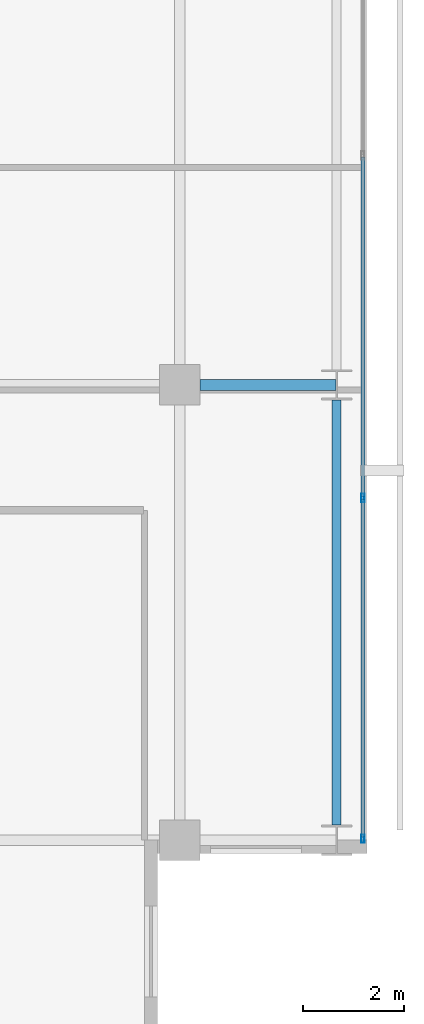
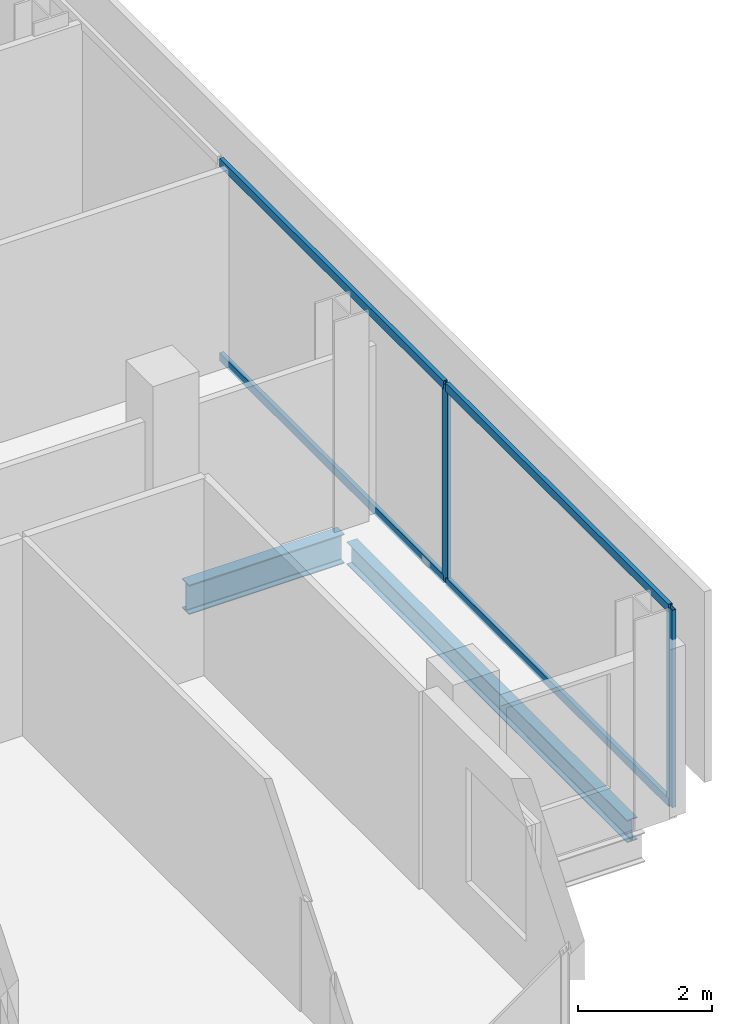
# One storey, part 15 of 34: 6 members, 2 beams, 1 element without a shape of its own.
"""IFC4 building model written with IfcOpenShell, lengths in metres."""

from ifc_helpers import new_model, si_unit, direction, frame, origin, origin_2d, place, context, subcontext, project, spatial, hollow_rectangle, i_section, extrude, material, layer, layer_set, material_profile, profile_set, type_object, element, aggregate, save


model = new_model("IFC4")

# Units and contexts
model_context = context("Model", 3, precision=1e-05, world=origin(), true_north=direction((0.0, 1.0)))
body_context = subcontext(model_context, "Body", "Model", "MODEL_VIEW")
ifc_project = project(units=[si_unit("LENGTHUNIT", "METRE"), si_unit("AREAUNIT", "SQUARE_METRE"), si_unit("VOLUMEUNIT", "CUBIC_METRE"), si_unit("PLANEANGLEUNIT", "RADIAN"), si_unit("MASSUNIT", "GRAM", prefix="KILO")], contexts=[model_context])

# Site, building, storey
site_placement = place(None, origin())
site = spatial("IfcSite", under=ifc_project, at=site_placement, CompositionType="ELEMENT")
building_placement = place(site_placement, origin())
building = spatial("IfcBuilding", under=site, at=building_placement, Name="Maruvema Waterfront Hotel and Observation Tower", CompositionType="ELEMENT")
storey_placement = place(building_placement, frame((0.0, 0.0, 212.10009765625)))
storey = spatial("IfcBuildingStorey", under=building, at=storey_placement, Name="L52", CompositionType="ELEMENT", Elevation=212.10009765625)

# Curtain wall, members
ifc_material_1 = material(Name="Anodised bronze aluminium and solar-control low-E IGU", Category="aluminium")
ifc_layer = layer(ifc_material_1, 0.159912109375, Name="Zone 2 Amber Inner Thermal Curtain Wall System CW-03")
ifc_layer_set = layer_set([ifc_layer], Name="Anodised bronze aluminium and solar-control low-E IGU")
curtain_wall_type = type_object("IfcCurtainWallType", Name="Zone 2 Amber Inner Thermal Curtain Wall System CW-03", PredefinedType="USERDEFINED", material=ifc_layer_set)
curtain_wall_placement = place(storey_placement, origin())
curtain_wall = element("IfcCurtainWall", 1, at=curtain_wall_placement, inside=storey, type_object=curtain_wall_type, Name="L52 Curtain Wall CW-L52-E", ObjectType="UNITISED CURTAIN WALL", PredefinedType="USERDEFINED")
ifc_material_2 = material(Name="Anodised architectural bronze aluminium", Category="aluminium")
ifc_material_profile_1 = material_profile(ifc_material_2, hollow_rectangle(XDim=0.070068359375, YDim=0.14990234375, WallThickness=0.00390625, at=origin_2d()), Name="ALU-T70x150")
ifc_profile_set_1 = profile_set([ifc_material_profile_1], Name="Anodised architectural bronze aluminium")
member_type_1 = type_object("IfcMemberType", Name="Curtain Wall Horizontal Transom ALU-T70x150", PredefinedType="USERDEFINED", material=ifc_profile_set_1)
member_1_placement = place(storey_placement, frame((62.419921875, 9.06005859375, 0.02978515625), z_axis=(0.0, 1.0, 0.0), x_axis=(-1.0, 0.0, 0.0)))
member_1 = element("IfcMember", 2, at=member_1_placement, type_object=member_type_1, Name="CW-03 transom 1.1", ObjectType="TRANSOM", PredefinedType="USERDEFINED", context=body_context, shape_type="SweptSolid", body=[
    extrude(hollow_rectangle(XDim=0.070068359375, YDim=0.14990234375, WallThickness=0.00390625, at=origin_2d()), origin(), (0.0, 0.0, 1.0), 6.676513671875),
])
member_2_placement = place(storey_placement, frame((62.419921875, 9.06005859375, 3.579833984375), z_axis=(0.0, 1.0, 0.0), x_axis=(-1.0, 0.0, 0.0)))
member_2 = element("IfcMember", 3, at=member_2_placement, type_object=member_type_1, Name="CW-03 transom 1.2", ObjectType="TRANSOM", PredefinedType="USERDEFINED", context=body_context, shape_type="SweptSolid", body=[
    extrude(hollow_rectangle(XDim=0.070068359375, YDim=0.14990234375, WallThickness=0.00390625, at=origin_2d()), origin(), (0.0, 0.0, 1.0), 6.676513671875),
])
member_3_placement = place(storey_placement, frame((62.419921875, 15.796630859375, 0.02978515625), z_axis=(0.0, 1.0, 0.0), x_axis=(-1.0, 0.0, 0.0)))
member_3 = element("IfcMember", 4, at=member_3_placement, type_object=member_type_1, Name="CW-03 transom 2.1", ObjectType="TRANSOM", PredefinedType="USERDEFINED", context=body_context, shape_type="SweptSolid", body=[
    extrude(hollow_rectangle(XDim=0.070068359375, YDim=0.14990234375, WallThickness=0.00390625, at=origin_2d()), origin(), (0.0, 0.0, 1.0), 6.706787109375),
])
member_4_placement = place(storey_placement, frame((62.419921875, 15.796630859375, 3.579833984375), z_axis=(0.0, 1.0, 0.0), x_axis=(-1.0, 0.0, 0.0)))
member_4 = element("IfcMember", 5, at=member_4_placement, type_object=member_type_1, Name="CW-03 transom 2.2", ObjectType="TRANSOM", PredefinedType="USERDEFINED", context=body_context, shape_type="SweptSolid", body=[
    extrude(hollow_rectangle(XDim=0.070068359375, YDim=0.14990234375, WallThickness=0.00390625, at=origin_2d()), origin(), (0.0, 0.0, 1.0), 6.706787109375),
])
ifc_material_3 = material(Name="Anodised architectural bronze aluminium", Category="aluminium")
ifc_material_profile_2 = material_profile(ifc_material_3, hollow_rectangle(XDim=0.06494140625, YDim=0.1650390625, WallThickness=0.00390625, at=origin_2d()), Name="ALU-M65x165")
ifc_profile_set_2 = profile_set([ifc_material_profile_2], Name="Anodised architectural bronze aluminium")
member_type_2 = type_object("IfcMemberType", Name="Curtain Wall Primary Mullion ALU-M65x165", PredefinedType="MULLION", material=ifc_profile_set_2)
member_5_placement = place(storey_placement, frame((62.419921875, 9.030029296875, 0.0), z_axis=(0.0, 0.0, 1.0), x_axis=(-1.0, 0.0, 0.0)))
member_5 = element("IfcMember", 6, at=member_5_placement, type_object=member_type_2, Name="CW-03 mullion 1", PredefinedType="MULLION", context=body_context, shape_type="SweptSolid", body=[
    extrude(hollow_rectangle(XDim=0.06494140625, YDim=0.1650390625, WallThickness=0.00390625, at=origin_2d()), origin(), (0.0, 0.0, 1.0), 3.60986328125),
])
member_6_placement = place(storey_placement, frame((62.419921875, 15.7666015625, 0.0), z_axis=(0.0, 0.0, 1.0), x_axis=(-1.0, 0.0, 0.0)))
member_6 = element("IfcMember", 7, at=member_6_placement, type_object=member_type_2, Name="CW-03 mullion 2", PredefinedType="MULLION", context=body_context, shape_type="SweptSolid", body=[
    extrude(hollow_rectangle(XDim=0.06494140625, YDim=0.1650390625, WallThickness=0.00390625, at=origin_2d()), origin(), (0.0, 0.0, 1.0), 3.60986328125),
])
aggregate(curtain_wall, [member_5, member_6, member_1, member_2, member_3, member_4])

# Beams
ifc_material_4 = material(Name="Steel ASTM A572 Grade 50", Category="steel")
ifc_material_profile_3 = material_profile(ifc_material_4, i_section(OverallWidth=0.178955078125, OverallDepth=0.409912109375, WebThickness=0.0087890625, FlangeThickness=0.014404296875, FilletRadius=0.014892578125, at=origin_2d()), Name="W410x67.0")
ifc_profile_set_3 = profile_set([ifc_material_profile_3], Name="Steel ASTM A572 Grade 50")
beam_type_1 = type_object("IfcBeamType", Name="Perimeter Spandrel Beam W410x67.0", PredefinedType="SPANDREL", material=ifc_profile_set_3)
beam_1_placement = place(storey_placement, frame((61.89990234375, 9.300048828125, -0.445068359375), z_axis=(0.0, 1.0, 0.0), x_axis=(-1.0, 0.0, 0.0)))
element("IfcBeam", 8, at=beam_1_placement, inside=storey, type_object=beam_type_1, Name="L52 Floor Girder NS-29", PredefinedType="SPANDREL", context=body_context, shape_type="SweptSolid", body=[
    extrude(i_section(OverallWidth=0.178955078125, OverallDepth=0.409912109375, WebThickness=0.0087890625, FlangeThickness=0.014404296875, FilletRadius=0.014892578125, at=origin_2d()), origin(), (0.0, 0.0, 1.0), 8.39990234375),
])
ifc_material_5 = material(Name="Steel ASTM A572 Grade 50", Category="steel")
ifc_material_profile_4 = material_profile(ifc_material_5, i_section(OverallWidth=0.2109375, OverallDepth=0.5390625, WebThickness=0.01171875, FlangeThickness=0.018798828125, FilletRadius=0.014892578125, at=origin_2d()), Name="W530x109.0")
ifc_profile_set_4 = profile_set([ifc_material_profile_4], Name="Steel ASTM A572 Grade 50")
beam_type_2 = type_object("IfcBeamType", Name="Primary Floor Girder W530x109.0", PredefinedType="BEAM", material=ifc_profile_set_4)
beam_2_placement = place(storey_placement, frame((59.199951171875, 18.0, -0.509521484375), z_axis=(1.0, 0.0, 0.0), x_axis=(0.0, 1.0, 0.0)))
element("IfcBeam", 9, at=beam_2_placement, inside=storey, type_object=beam_type_2, Name="L52 Floor Girder EW-17", PredefinedType="BEAM", context=body_context, shape_type="SweptSolid", body=[
    extrude(i_section(OverallWidth=0.2109375, OverallDepth=0.5390625, WebThickness=0.01171875, FlangeThickness=0.018798828125, FilletRadius=0.014892578125, at=origin_2d()), origin(), (0.0, 0.0, 1.0), 2.6875),
])

save(model, "model.ifc")
